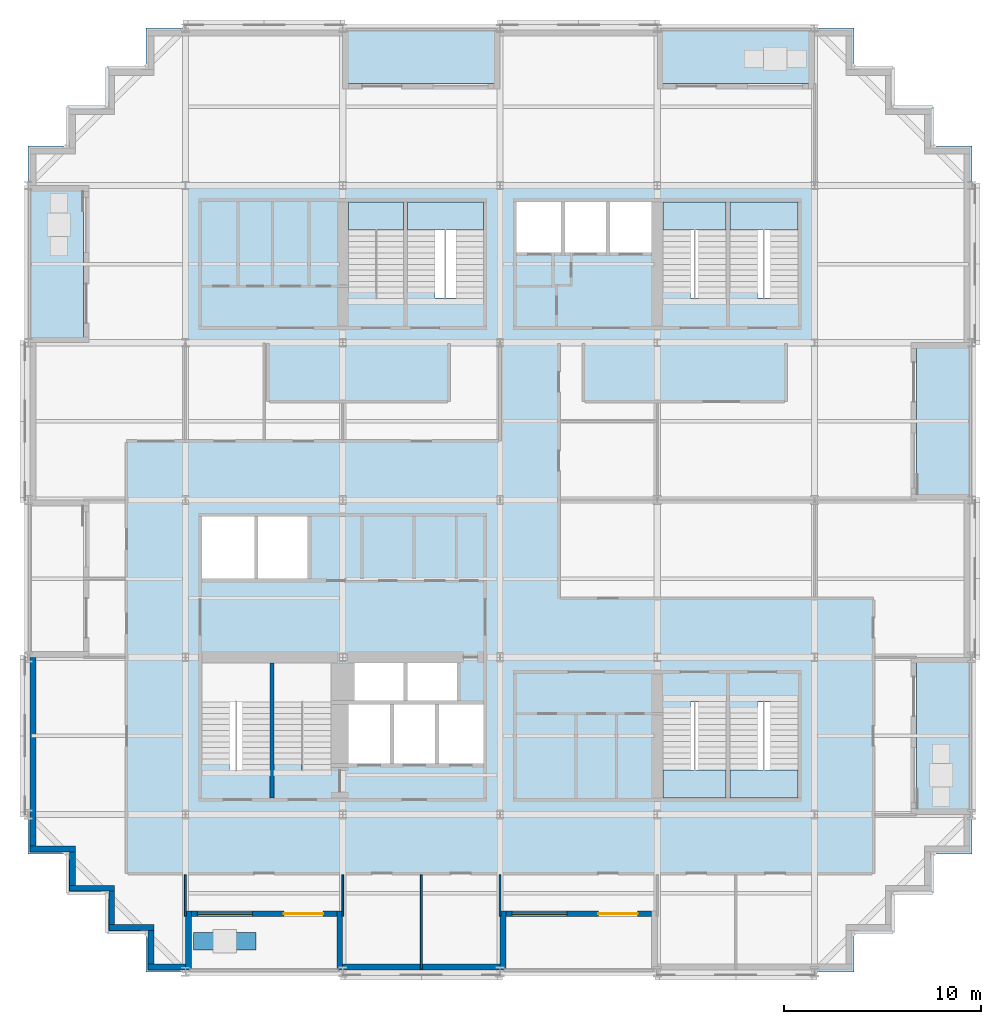
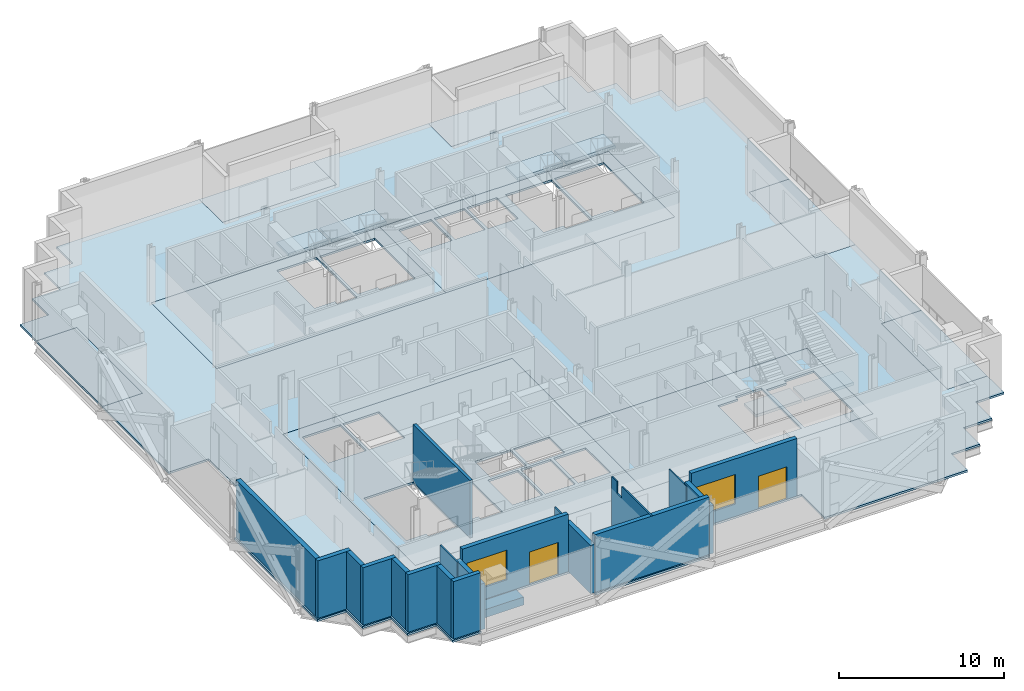
# One storey, part 4 of 13: 20 walls, 16 slabs, 2 doors, 2 windows, 4 openings, 6 elements without a shape of their own.
"""IFC4 building model written with IfcOpenShell, lengths in metres."""

import ifcopenshell
import ifcopenshell.guid

model = None  # the IFC model being written
_history = None  # IfcOwnerHistory: only IFC2X3 demands one
_inside = {}  # id of a spatial element -> (the spatial element, [elements in it])
_under = {}  # id of a project, library or spatial element -> (it, [spatial elements below it])
_declared = {}  # id of a project -> (the project, [libraries it declares])
_typed = {}  # id of a type object -> (the type object, [elements of that type])
_made_of = {}  # id of a material, layer set ... -> (it, [elements and type objects made of it])


def new_model(schema):
    """Start an empty IFC model of exactly this schema.

    Asked for "IFC4X3", IfcOpenShell would pick the latest addendum, in which some entities
    have other attributes; the version numbers below select the first issue.
    IFC2X3 requires an IfcOwnerHistory on every rooted entity: one is made here for all.
    """
    global model, _history
    if schema == "IFC4X3":
        model = ifcopenshell.file(schema_version=(4, 3, 0, 0))
    else:
        model = ifcopenshell.file(schema=schema)
    _inside.clear()
    _under.clear()
    _declared.clear()
    _typed.clear()
    _made_of.clear()
    _history = None
    if model.schema == "IFC2X3":
        org = make("IfcOrganization", Name="unknown")
        user = make(
            "IfcPersonAndOrganization",
            ThePerson=make("IfcPerson", FamilyName="unknown"),
            TheOrganization=org,
        )
        app = make(
            "IfcApplication",
            ApplicationDeveloper=org,
            Version="unknown",
            ApplicationFullName="unknown",
            ApplicationIdentifier="unknown",
        )
        _history = make(
            "IfcOwnerHistory",
            OwningUser=user,
            OwningApplication=app,
            ChangeAction="ADDED",
            CreationDate=0,
        )
    return model


def make(cls, **values):
    """One entity of the class cls with the attributes given. An attribute that is None is left unset."""
    return model.create_entity(
        cls, **{name: value for name, value in values.items() if value is not None}
    )


def rooted(cls, **values):
    """An entity with a GlobalId (a new one), such as an element, a storey or a relation."""
    return make(cls, GlobalId=ifcopenshell.guid.new(), OwnerHistory=_history, **values)


def si_unit(unit_type, name, prefix=None):
    """IfcSIUnit, for example si_unit("LENGTHUNIT", "METRE", prefix="MILLI")."""
    return make("IfcSIUnit", UnitType=unit_type, Prefix=prefix, Name=name)


def assignment(units):
    """IfcUnitAssignment: the units of a project."""
    return None if units is None else make("IfcUnitAssignment", Units=units)


def point(xyz):
    """IfcCartesianPoint."""
    return None if xyz is None else make("IfcCartesianPoint", Coordinates=xyz)


def direction(xyz):
    """IfcDirection."""
    return None if xyz is None else make("IfcDirection", DirectionRatios=xyz)


def frame(location, z_axis=None, x_axis=None):
    """IfcAxis2Placement3D, a coordinate frame: its origin and axes. An axis left out is left unset."""
    return make(
        "IfcAxis2Placement3D",
        Location=point(location),
        Axis=direction(z_axis),
        RefDirection=direction(x_axis),
    )


def frame_2d(location, x_axis=None):
    """IfcAxis2Placement2D, a coordinate frame in the plane: its origin and x axis."""
    return make(
        "IfcAxis2Placement2D", Location=point(location), RefDirection=direction(x_axis)
    )


def origin():
    """The frame at (0, 0, 0) with its axes left unset."""
    return frame((0.0, 0.0, 0.0))


def place(relative_to, where):
    """IfcLocalPlacement: puts the frame where relative to a parent placement (None: the world)."""
    return make(
        "IfcLocalPlacement", PlacementRelTo=relative_to, RelativePlacement=where
    )


def context(
    kind, dimensions, precision=None, world=None, true_north=None, identifier=None
):
    """IfcGeometricRepresentationContext, for example the 3D "Model" context."""
    return make(
        "IfcGeometricRepresentationContext",
        ContextIdentifier=identifier,
        ContextType=kind,
        CoordinateSpaceDimension=dimensions,
        Precision=precision,
        WorldCoordinateSystem=world,
        TrueNorth=true_north,
    )


def subcontext(parent, identifier, kind, view, scale=None):
    """IfcGeometricRepresentationSubContext, for example "Body" below "Model"."""
    return make(
        "IfcGeometricRepresentationSubContext",
        ContextIdentifier=identifier,
        ContextType=kind,
        ParentContext=parent,
        TargetScale=scale,
        TargetView=view,
    )


def project(units=None, contexts=None):
    """IfcProject with its units and contexts."""
    return rooted(
        "IfcProject",
        Name="project",
        RepresentationContexts=contexts,
        UnitsInContext=assignment(units),
    )


def spatial(cls, under=None, at=None, **own):
    """A site, building, storey or space (cls), placed at a placement, below another one or the project."""
    s = rooted(cls, ObjectPlacement=at, **own)
    if under is not None:
        _under.setdefault(under.id(), (under, []))[1].append(s)
    return s


def polyline(points):
    """IfcPolyline through the points."""
    return make("IfcPolyline", Points=[point(p) for p in points])


def profile(cls, at=None, kind="AREA", **sizes):
    """A parametric profile (cls). Its sizes go by their IFC names, for example OverallWidth=200.0."""
    return make(cls, ProfileType=kind, Position=at, **sizes)


def rectangle(**sizes):
    """IfcRectangleProfileDef."""
    return profile("IfcRectangleProfileDef", **sizes)


def outline(outer, holes=None, kind="AREA"):
    """IfcArbitraryClosedProfileDef: a profile drawn as a closed curve; with holes, ...WithVoids."""
    if holes is None:
        return make("IfcArbitraryClosedProfileDef", ProfileType=kind, OuterCurve=outer)
    return make(
        "IfcArbitraryProfileDefWithVoids",
        ProfileType=kind,
        OuterCurve=outer,
        InnerCurves=holes,
    )


def extrude(swept, where, along, depth):
    """IfcExtrudedAreaSolid: the profile swept, set in the frame where, extruded along a direction by depth."""
    return make(
        "IfcExtrudedAreaSolid",
        SweptArea=swept,
        Position=where,
        ExtrudedDirection=direction(along),
        Depth=depth,
    )


def shape(context_of_items, identifier, shape_type, items):
    """IfcShapeRepresentation: the items that make up one representation, for example the "Body"."""
    return make(
        "IfcShapeRepresentation",
        ContextOfItems=context_of_items,
        RepresentationIdentifier=identifier,
        RepresentationType=shape_type,
        Items=items,
    )


def material(Name=None, Category=None):
    """IfcMaterial."""
    return make("IfcMaterial", Name=Name, Category=Category)


def layer(
    of_material, thickness, ventilated=None, Name=None, Category=None, Priority=None
):
    """IfcMaterialLayer: one layer of a wall or slab, of a material (None: an air gap)."""
    return make(
        "IfcMaterialLayer",
        Material=of_material,
        LayerThickness=thickness,
        IsVentilated=ventilated,
        Name=Name,
        Category=Category,
        Priority=Priority,
    )


def layer_set(layers, Name=None):
    """IfcMaterialLayerSet."""
    return make("IfcMaterialLayerSet", MaterialLayers=layers, LayerSetName=Name)


def made_of(thing, what):
    """Note that an element or type object is made of a material, layer set ...; save() writes the relation."""
    if what is not None:
        _made_of.setdefault(what.id(), (what, []))[1].append(thing)
    return thing


def type_object(cls, material=None, **own):
    """A type object (cls), such as IfcWallType, which elements share."""
    return made_of(rooted(cls, **own), material)


def element(
    cls,
    number,
    at=None,
    inside=None,
    cuts=None,
    type_object=None,
    material=None,
    context=None,
    identifier="Body",
    shape_type=None,
    held_by="IfcProductDefinitionShape",
    body=None,
    shapes=None,
    **own,
):
    """One element of the class cls, such as IfcWall. Its Tag is "e" and its number.

    at: its placement. inside: the storey or other place that contains it. cuts: it is an
    opening in that element (IfcRelVoidsElement). A single representation is given by context,
    identifier, shape_type and body (its items); several are given by shapes. held_by: the class
    of the entity that holds the representations. save() writes the other relations.
    """
    e = rooted(cls, Tag="e%d" % number, ObjectPlacement=at, **own)
    if body is not None:
        shapes = [shape(context, identifier, shape_type, body)]
    if shapes is not None:
        e.Representation = make(held_by, Representations=shapes)
    if inside is not None:
        _inside.setdefault(inside.id(), (inside, []))[1].append(e)
    if cuts is not None:
        rooted(
            "IfcRelVoidsElement", RelatingBuildingElement=cuts, RelatedOpeningElement=e
        )
    if type_object is not None:
        _typed.setdefault(type_object.id(), (type_object, []))[1].append(e)
    return made_of(e, material)


def fill(opening, filler):
    """IfcRelFillsElement: the door or window that sits in an opening."""
    return rooted(
        "IfcRelFillsElement",
        RelatingOpeningElement=opening,
        RelatedBuildingElement=filler,
    )


def aggregate(whole, parts):
    """IfcRelAggregates: a whole, such as a stair, and the parts it consists of."""
    return rooted("IfcRelAggregates", RelatingObject=whole, RelatedObjects=parts)


def save(model, path):
    """Write the relations noted so far, then the file.

    IfcRelAggregates (storeys below a building ...), IfcRelContainedInSpatialStructure (elements
    in a storey), IfcRelDefinesByType, IfcRelAssociatesMaterial and IfcRelDeclares: one each for
    every whole, place, type object, material and project.
    """
    for whole, parts in _under.values():
        aggregate(whole, parts)
    for where, things in _inside.values():
        rooted(
            "IfcRelContainedInSpatialStructure",
            RelatedElements=things,
            RelatingStructure=where,
        )
    for kind, things in _typed.values():
        rooted("IfcRelDefinesByType", RelatedObjects=things, RelatingType=kind)
    for what, things in _made_of.values():
        rooted("IfcRelAssociatesMaterial", RelatedObjects=things, RelatingMaterial=what)
    for by, libraries in _declared.values():
        rooted("IfcRelDeclares", RelatingContext=by, RelatedDefinitions=libraries)
    model.write(path)


model = new_model("IFC4")

# Units and contexts
model_context = context("Model", 3, precision=1e-05, world=origin(), true_north=direction((0.0, 1.0)))
body_context = subcontext(model_context, "Body", "Model", "MODEL_VIEW")
ifc_project = project(units=[si_unit("LENGTHUNIT", "METRE"), si_unit("AREAUNIT", "SQUARE_METRE"), si_unit("VOLUMEUNIT", "CUBIC_METRE"), si_unit("PLANEANGLEUNIT", "RADIAN"), si_unit("MASSUNIT", "GRAM", prefix="KILO")], contexts=[model_context])

# Site, building, storey
site_placement = place(None, origin())
site = spatial("IfcSite", under=ifc_project, at=site_placement, CompositionType="ELEMENT")
building_placement = place(site_placement, origin())
building = spatial("IfcBuilding", under=site, at=building_placement, Name="Immortelle Media Tower", CompositionType="ELEMENT")
storey_placement = place(building_placement, frame((0.0, 0.0, 56.800048828125)))
storey = spatial("IfcBuildingStorey", under=building, at=storey_placement, Name="L09", CompositionType="ELEMENT", Elevation=56.800048828125)

# Slabs
ifc_material_1 = material(Name="Concrete C50/60 composite deck", Category="concrete")
ifc_layer_1 = layer(ifc_material_1, 0.14990234375)
ifc_layer_set_1 = layer_set([ifc_layer_1], Name="Concrete C50/60 composite deck")
slab_type_1 = type_object("IfcSlabType", Name="Balcony slab 150", PredefinedType="FLOOR", material=ifc_layer_set_1)
slab_1_placement = place(storey_placement, frame((0.0, 0.0, -0.150146484375)))
element("IfcSlab", 1, at=slab_1_placement, inside=storey, type_object=slab_type_1, Name="Balcony slab L09 W0", PredefinedType="FLOOR", context=body_context, shape_type="SweptSolid", body=[
    extrude(outline(polyline([(2.800048828125, 32.0), (2.800048828125, 40.0), (0.0, 40.0), (0.0, 32.0), (2.800048828125, 32.0)])), origin(), (0.0, 0.0, 1.0), 0.150146484375),
])
slab_2_placement = place(storey_placement, frame((0.0, 0.0, -0.150146484375)))
element("IfcSlab", 2, at=slab_2_placement, inside=storey, type_object=slab_type_1, Name="Balcony slab L09 E0", PredefinedType="FLOOR", context=body_context, shape_type="SweptSolid", body=[
    extrude(outline(polyline([(48.0, 8.0), (48.0, 16.0), (45.199951171875, 16.0), (45.199951171875, 8.0), (48.0, 8.0)])), origin(), (0.0, 0.0, 1.0), 0.150146484375),
])
slab_3_placement = place(storey_placement, frame((0.0, 0.0, -0.150146484375)))
element("IfcSlab", 3, at=slab_3_placement, inside=storey, type_object=slab_type_1, Name="Balcony slab L09 E2", PredefinedType="FLOOR", context=body_context, shape_type="SweptSolid", body=[
    extrude(outline(polyline([(48.0, 24.0), (48.0, 32.0), (45.199951171875, 32.0), (45.199951171875, 24.0), (48.0, 24.0)])), origin(), (0.0, 0.0, 1.0), 0.150146484375),
])
slab_4_placement = place(storey_placement, frame((0.0, 0.0, -0.150146484375)))
element("IfcSlab", 4, at=slab_4_placement, inside=storey, type_object=slab_type_1, Name="Balcony slab L09 N0", PredefinedType="FLOOR", context=body_context, shape_type="SweptSolid", body=[
    extrude(outline(polyline([(40.0, 45.199951171875), (40.0, 48.0), (32.0, 48.0), (32.0, 45.199951171875), (40.0, 45.199951171875)])), origin(), (0.0, 0.0, 1.0), 0.150146484375),
])
slab_5_placement = place(storey_placement, frame((0.0, 0.0, -0.150146484375)))
element("IfcSlab", 5, at=slab_5_placement, inside=storey, type_object=slab_type_1, Name="Balcony slab L09 N2", PredefinedType="FLOOR", context=body_context, shape_type="SweptSolid", body=[
    extrude(outline(polyline([(24.0, 45.199951171875), (24.0, 48.0), (16.0, 48.0), (16.0, 45.199951171875), (24.0, 45.199951171875)])), origin(), (0.0, 0.0, 1.0), 0.150146484375),
])
ifc_material_2 = material(Name="Concrete C50/60", Category="concrete")
ifc_layer_2 = layer(ifc_material_2, 0.14990234375)
ifc_layer_set_2 = layer_set([ifc_layer_2], Name="Concrete C50/60")
slab_type_2 = type_object("IfcSlabType", Name="Composite floor slab 150", PredefinedType="FLOOR", material=ifc_layer_set_2)
slab_6_placement = place(storey_placement, frame((0.0, 0.0, -0.150146484375)))
element("IfcSlab", 6, at=slab_6_placement, inside=storey, type_object=slab_type_2, Name="Floor slab L09", PredefinedType="FLOOR", context=body_context, shape_type="SweptSolid", body=[
    extrude(outline(polyline([(6.0, 0.0), (6.0, 2.0), (4.0, 2.0), (4.0, 4.0), (2.0, 4.0), (2.0, 6.0), (0.0, 6.0), (0.0, 16.0), (2.800048828125, 16.0), (2.800048828125, 24.0), (0.0, 24.0), (0.0, 32.0), (2.800048828125, 32.0), (2.800048828125, 40.0), (0.0, 40.0), (0.0, 42.0), (2.0, 42.0), (2.0, 44.0), (4.0, 44.0), (4.0, 46.0), (6.0, 46.0), (6.0, 48.0), (16.0, 48.0), (16.0, 45.199951171875), (24.0, 45.199951171875), (24.0, 48.0), (32.0, 48.0), (32.0, 45.199951171875), (40.0, 45.199951171875), (40.0, 48.0), (42.0, 48.0), (42.0, 46.0), (44.0, 46.0), (44.0, 44.0), (46.0, 44.0), (46.0, 42.0), (48.0, 42.0), (48.0, 32.0), (45.199951171875, 32.0), (45.199951171875, 24.0), (48.0, 24.0), (48.0, 16.0), (45.199951171875, 16.0), (45.199951171875, 8.0), (48.0, 8.0), (48.0, 6.0), (46.0, 6.0), (46.0, 4.0), (44.0, 4.0), (44.0, 2.0), (42.0, 2.0), (42.0, 0.0), (32.0, 0.0), (32.0, 2.800048828125), (24.0, 2.800048828125), (24.0, 0.0), (16.0, 0.0), (16.0, 2.800048828125), (8.0, 2.800048828125), (8.0, 0.0), (6.0, 0.0)]), holes=[polyline([(24.0, 24.0), (8.0, 24.0), (8.0, 8.0), (24.0, 8.0), (40.0, 8.0), (40.0, 16.0), (24.0, 16.0), (24.0, 24.0)]), polyline([(24.0, 32.0), (40.0, 32.0), (40.0, 40.0), (24.0, 40.0), (8.0, 40.0), (8.0, 32.0), (24.0, 32.0)])]), origin(), (0.0, 0.0, 1.0), 0.150146484375),
])
ifc_layer_3 = layer(ifc_material_2, 0.14990234375)
ifc_layer_set_3 = layer_set([ifc_layer_3], Name="Concrete C50/60")
slab_type_3 = type_object("IfcSlabType", Name="Core floor slab 150", PredefinedType="FLOOR", material=ifc_layer_set_3)
slab_7_placement = place(storey_placement, frame((0.0, 0.0, -0.150146484375)))
element("IfcSlab", 7, at=slab_7_placement, inside=storey, type_object=slab_type_3, Name="Core floor SW", PredefinedType="FLOOR", context=body_context, shape_type="SweptSolid", body=[
    extrude(outline(polyline([(8.0, 8.0), (24.0, 8.0), (24.0, 24.0), (8.0, 24.0), (8.0, 8.0)]), holes=[polyline([(8.85009765625, 20.0), (11.5, 20.0), (11.5, 23.14990234375), (8.85009765625, 23.14990234375), (8.85009765625, 20.0)]), polyline([(11.699951171875, 20.0), (14.199951171875, 20.0), (14.199951171875, 23.14990234375), (11.699951171875, 23.14990234375), (11.699951171875, 20.0)]), polyline([(16.60009765625, 13.800048828125), (19.10009765625, 13.800048828125), (19.10009765625, 15.699951171875), (16.60009765625, 15.699951171875), (16.60009765625, 13.800048828125)]), polyline([(19.300048828125, 13.800048828125), (21.800048828125, 13.800048828125), (21.800048828125, 15.699951171875), (19.300048828125, 15.699951171875), (19.300048828125, 13.800048828125)]), polyline([(16.300048828125, 10.60009765625), (18.39990234375, 10.60009765625), (18.39990234375, 13.60009765625), (16.300048828125, 13.60009765625), (16.300048828125, 10.60009765625)]), polyline([(18.60009765625, 10.60009765625), (20.699951171875, 10.60009765625), (20.699951171875, 13.60009765625), (18.60009765625, 13.60009765625), (18.60009765625, 10.60009765625)]), polyline([(20.89990234375, 10.60009765625), (23.14990234375, 10.60009765625), (23.14990234375, 13.60009765625), (20.89990234375, 13.60009765625), (20.89990234375, 10.60009765625)]), polyline([(8.85009765625, 15.699951171875), (12.300048828125, 15.699951171875), (12.300048828125, 10.27001953125), (10.25, 10.27001953125), (10.25, 10.56005859375), (8.85009765625, 10.56005859375), (8.85009765625, 15.699951171875)]), polyline([(12.5, 15.699951171875), (15.39990234375, 15.699951171875), (15.39990234375, 10.27001953125), (13.89990234375, 10.27001953125), (13.89990234375, 10.56005859375), (12.5, 10.56005859375), (12.5, 15.699951171875)])]), origin(), (0.0, 0.0, 1.0), 0.150146484375),
])
slab_8_placement = place(storey_placement, frame((0.0, 0.0, -0.150146484375)))
element("IfcSlab", 8, at=slab_8_placement, inside=storey, type_object=slab_type_3, Name="Core floor SE", PredefinedType="FLOOR", context=body_context, shape_type="SweptSolid", body=[
    extrude(outline(polyline([(24.0, 8.0), (40.0, 8.0), (40.0, 16.0), (24.0, 16.0), (24.0, 8.0)]), holes=[polyline([(35.5, 13.72998046875), (35.5, 8.85009765625), (32.300048828125, 8.85009765625), (32.300048828125, 13.43994140625), (33.699951171875, 13.43994140625), (33.699951171875, 13.72998046875), (35.5, 13.72998046875)]), polyline([(39.14990234375, 13.72998046875), (39.14990234375, 8.85009765625), (35.699951171875, 8.85009765625), (35.699951171875, 13.43994140625), (37.10009765625, 13.43994140625), (37.10009765625, 13.72998046875), (39.14990234375, 13.72998046875)])]), origin(), (0.0, 0.0, 1.0), 0.150146484375),
])
slab_9_placement = place(storey_placement, frame((0.0, 0.0, -0.150146484375)))
element("IfcSlab", 9, at=slab_9_placement, inside=storey, type_object=slab_type_3, Name="Core floor NW", PredefinedType="FLOOR", context=body_context, shape_type="SweptSolid", body=[
    extrude(outline(polyline([(8.0, 32.0), (24.0, 32.0), (24.0, 40.0), (8.0, 40.0), (8.0, 32.0)]), holes=[polyline([(16.300048828125, 39.14990234375), (19.10009765625, 39.14990234375), (19.10009765625, 34.27001953125), (17.699951171875, 34.27001953125), (17.699951171875, 34.56005859375), (16.300048828125, 34.56005859375), (16.300048828125, 39.14990234375)]), polyline([(19.300048828125, 39.14990234375), (23.14990234375, 39.14990234375), (23.14990234375, 34.27001953125), (20.699951171875, 34.27001953125), (20.699951171875, 34.56005859375), (19.300048828125, 34.56005859375), (19.300048828125, 39.14990234375)])]), origin(), (0.0, 0.0, 1.0), 0.150146484375),
])
slab_10_placement = place(storey_placement, frame((0.0, 0.0, -0.150146484375)))
element("IfcSlab", 10, at=slab_10_placement, inside=storey, type_object=slab_type_3, Name="Core floor NE", PredefinedType="FLOOR", context=body_context, shape_type="SweptSolid", body=[
    extrude(outline(polyline([(24.0, 32.0), (40.0, 32.0), (40.0, 40.0), (24.0, 40.0), (24.0, 32.0)]), holes=[polyline([(24.85009765625, 36.60009765625), (27.10009765625, 36.60009765625), (27.10009765625, 39.14990234375), (24.85009765625, 39.14990234375), (24.85009765625, 36.60009765625)]), polyline([(27.300048828125, 36.60009765625), (29.39990234375, 36.60009765625), (29.39990234375, 39.14990234375), (27.300048828125, 39.14990234375), (27.300048828125, 36.60009765625)]), polyline([(29.60009765625, 36.60009765625), (31.699951171875, 36.60009765625), (31.699951171875, 39.14990234375), (29.60009765625, 39.14990234375), (29.60009765625, 36.60009765625)]), polyline([(32.300048828125, 39.14990234375), (35.5, 39.14990234375), (35.5, 34.27001953125), (33.699951171875, 34.27001953125), (33.699951171875, 34.56005859375), (32.300048828125, 34.56005859375), (32.300048828125, 39.14990234375)]), polyline([(35.699951171875, 39.14990234375), (39.14990234375, 39.14990234375), (39.14990234375, 34.27001953125), (37.10009765625, 34.27001953125), (37.10009765625, 34.56005859375), (35.699951171875, 34.56005859375), (35.699951171875, 39.14990234375)])]), origin(), (0.0, 0.0, 1.0), 0.150146484375),
])

# Stair, slab
ifc_material_3 = material(Name="Steel ASTM A992 Gr 50", Category="steel")
stair_type = type_object("IfcStairType", Name="Stair with flights", PredefinedType="DOUBLE_RETURN_STAIR", material=ifc_material_3)
stair_1_placement = place(storey_placement, origin())
stair_1 = element("IfcStair", 11, at=stair_1_placement, inside=storey, type_object=stair_type, Name="Exit stair SE1", PredefinedType="DOUBLE_RETURN_STAIR")
ifc_material_4 = material(Name="Steel ASTM A572 Gr 50", Category="steel")
ifc_layer_4 = layer(ifc_material_4, 0.199951171875)
ifc_layer_set_4 = layer_set([ifc_layer_4], Name="Steel ASTM A572 Gr 50")
slab_type_4 = type_object("IfcSlabType", Name="Stair landing 200", PredefinedType="LANDING", material=ifc_layer_set_4)
slab_11_placement = place(storey_placement, frame((0.0, 0.0, 1.911865234375)))
slab_11 = element("IfcSlab", 12, at=slab_11_placement, type_object=slab_type_4, Name="ST SE1 landing 1", PredefinedType="LANDING", context=body_context, shape_type="SweptSolid", body=[
    extrude(outline(polyline([(32.300048828125, 8.85009765625), (35.5, 8.85009765625), (35.5, 10.27001953125), (32.300048828125, 10.27001953125), (32.300048828125, 8.85009765625)])), origin(), (0.0, 0.0, 1.0), 0.2001953125),
])
aggregate(stair_1, [slab_11])

stair_2_placement = place(storey_placement, origin())
stair_2 = element("IfcStair", 13, at=stair_2_placement, inside=storey, type_object=stair_type, Name="Exit stair SE2", PredefinedType="DOUBLE_RETURN_STAIR")
slab_12_placement = place(storey_placement, frame((0.0, 0.0, 1.911865234375)))
slab_12 = element("IfcSlab", 14, at=slab_12_placement, type_object=slab_type_4, Name="ST SE2 landing 1", PredefinedType="LANDING", context=body_context, shape_type="SweptSolid", body=[
    extrude(outline(polyline([(35.699951171875, 8.85009765625), (39.14990234375, 8.85009765625), (39.14990234375, 10.27001953125), (35.699951171875, 10.27001953125), (35.699951171875, 8.85009765625)])), origin(), (0.0, 0.0, 1.0), 0.2001953125),
])
aggregate(stair_2, [slab_12])

stair_3_placement = place(storey_placement, origin())
stair_3 = element("IfcStair", 15, at=stair_3_placement, inside=storey, type_object=stair_type, Name="Exit stair NW1", PredefinedType="DOUBLE_RETURN_STAIR")
slab_13_placement = place(storey_placement, frame((0.0, 0.0, 1.911865234375)))
slab_13 = element("IfcSlab", 16, at=slab_13_placement, type_object=slab_type_4, Name="ST NW1 landing 1", PredefinedType="LANDING", context=body_context, shape_type="SweptSolid", body=[
    extrude(outline(polyline([(16.300048828125, 37.72998046875), (19.10009765625, 37.72998046875), (19.10009765625, 39.14990234375), (16.300048828125, 39.14990234375), (16.300048828125, 37.72998046875)])), origin(), (0.0, 0.0, 1.0), 0.2001953125),
])
aggregate(stair_3, [slab_13])

stair_4_placement = place(storey_placement, origin())
stair_4 = element("IfcStair", 17, at=stair_4_placement, inside=storey, type_object=stair_type, Name="Exit stair NW2", PredefinedType="DOUBLE_RETURN_STAIR")
slab_14_placement = place(storey_placement, frame((0.0, 0.0, 1.911865234375)))
slab_14 = element("IfcSlab", 18, at=slab_14_placement, type_object=slab_type_4, Name="ST NW2 landing 1", PredefinedType="LANDING", context=body_context, shape_type="SweptSolid", body=[
    extrude(outline(polyline([(19.300048828125, 37.72998046875), (23.14990234375, 37.72998046875), (23.14990234375, 39.14990234375), (19.300048828125, 39.14990234375), (19.300048828125, 37.72998046875)])), origin(), (0.0, 0.0, 1.0), 0.2001953125),
])
aggregate(stair_4, [slab_14])

stair_5_placement = place(storey_placement, origin())
stair_5 = element("IfcStair", 19, at=stair_5_placement, inside=storey, type_object=stair_type, Name="Exit stair NE1", PredefinedType="DOUBLE_RETURN_STAIR")
slab_15_placement = place(storey_placement, frame((0.0, 0.0, 1.911865234375)))
slab_15 = element("IfcSlab", 20, at=slab_15_placement, type_object=slab_type_4, Name="ST NE1 landing 1", PredefinedType="LANDING", context=body_context, shape_type="SweptSolid", body=[
    extrude(outline(polyline([(32.300048828125, 37.72998046875), (35.5, 37.72998046875), (35.5, 39.14990234375), (32.300048828125, 39.14990234375), (32.300048828125, 37.72998046875)])), origin(), (0.0, 0.0, 1.0), 0.2001953125),
])
aggregate(stair_5, [slab_15])

stair_6_placement = place(storey_placement, origin())
stair_6 = element("IfcStair", 21, at=stair_6_placement, inside=storey, type_object=stair_type, Name="Exit stair NE2", PredefinedType="DOUBLE_RETURN_STAIR")
slab_16_placement = place(storey_placement, frame((0.0, 0.0, 1.911865234375)))
slab_16 = element("IfcSlab", 22, at=slab_16_placement, type_object=slab_type_4, Name="ST NE2 landing 1", PredefinedType="LANDING", context=body_context, shape_type="SweptSolid", body=[
    extrude(outline(polyline([(35.699951171875, 37.72998046875), (39.14990234375, 37.72998046875), (39.14990234375, 39.14990234375), (35.699951171875, 39.14990234375), (35.699951171875, 37.72998046875)])), origin(), (0.0, 0.0, 1.0), 0.2001953125),
])
aggregate(stair_6, [slab_16])

# Walls
ifc_material_5 = material(Name="Pale aluminium cladding panel", Category="aluminium")
ifc_layer_5 = layer(ifc_material_5, 0.030029296875)
ifc_material_6 = material(Name="Steel ASTM A653 SS Gr 50 stud frame with mineral wool", Category="steel")
ifc_layer_6 = layer(ifc_material_6, 0.257568359375)
ifc_material_7 = material(Name="Moisture-resistant gypsum board", Category="gypsum")
ifc_layer_7 = layer(ifc_material_7, 0.012451171875)
ifc_layer_set_5 = layer_set([ifc_layer_5, ifc_layer_6, ifc_layer_7], Name="Steel ASTM A653 SS Gr 50 stud frame with mineral wool")
wall_type_1 = type_object("IfcWallType", Name="Facade wall 300", PredefinedType="SOLIDWALL", material=ifc_layer_set_5)
wall_1_placement = place(storey_placement, frame((0.25, 16.0, 0.0), z_axis=(0.0, 0.0, 1.0), x_axis=(0.0, -1.0, 0.0)))
element("IfcWall", 23, at=wall_1_placement, inside=storey, type_object=wall_type_1, Name="Facade wall L09 W0", PredefinedType="SOLIDWALL", context=body_context, shape_type="SweptSolid", body=[
    extrude(rectangle(XDim=9.60009765625, YDim=0.300048828125, at=frame_2d((4.800048828125, 0.0))), origin(), (0.0, 0.0, 1.0), 4.25),
])
wall_2_placement = place(storey_placement, frame((0.10009765625, 6.25, 0.0), z_axis=(0.0, 0.0, 1.0), x_axis=(1.0, 0.0, 0.0)))
element("IfcWall", 24, at=wall_2_placement, inside=storey, type_object=wall_type_1, Name="Facade wall L09 S1", PredefinedType="SOLIDWALL", context=body_context, shape_type="SweptSolid", body=[
    extrude(rectangle(XDim=2.2998046875, YDim=0.300048828125, at=frame_2d((1.14990234375, 0.0))), origin(), (0.0, 0.0, 1.0), 4.25),
])
wall_3_placement = place(storey_placement, frame((2.25, 6.10009765625, 0.0), z_axis=(0.0, 0.0, 1.0), x_axis=(0.0, -1.0, 0.0)))
element("IfcWall", 25, at=wall_3_placement, inside=storey, type_object=wall_type_1, Name="Facade wall L09 W2", PredefinedType="SOLIDWALL", context=body_context, shape_type="SweptSolid", body=[
    extrude(rectangle(XDim=1.7001953125, YDim=0.300048828125, at=frame_2d((0.85009765625, 0.0))), origin(), (0.0, 0.0, 1.0), 4.25),
])
wall_4_placement = place(storey_placement, frame((2.10009765625, 4.25, 0.0), z_axis=(0.0, 0.0, 1.0), x_axis=(1.0, 0.0, 0.0)))
element("IfcWall", 26, at=wall_4_placement, inside=storey, type_object=wall_type_1, Name="Facade wall L09 S3", PredefinedType="SOLIDWALL", context=body_context, shape_type="SweptSolid", body=[
    extrude(rectangle(XDim=2.2998046875, YDim=0.300048828125, at=frame_2d((1.14990234375, 0.0))), origin(), (0.0, 0.0, 1.0), 4.25),
])
wall_5_placement = place(storey_placement, frame((4.25, 4.10009765625, 0.0), z_axis=(0.0, 0.0, 1.0), x_axis=(0.0, -1.0, 0.0)))
element("IfcWall", 27, at=wall_5_placement, inside=storey, type_object=wall_type_1, Name="Facade wall L09 W4", PredefinedType="SOLIDWALL", context=body_context, shape_type="SweptSolid", body=[
    extrude(rectangle(XDim=1.7001953125, YDim=0.300048828125, at=frame_2d((0.85009765625, 0.0))), origin(), (0.0, 0.0, 1.0), 4.25),
])
wall_6_placement = place(storey_placement, frame((4.10009765625, 2.25, 0.0), z_axis=(0.0, 0.0, 1.0), x_axis=(1.0, 0.0, 0.0)))
element("IfcWall", 28, at=wall_6_placement, inside=storey, type_object=wall_type_1, Name="Facade wall L09 S5", PredefinedType="SOLIDWALL", context=body_context, shape_type="SweptSolid", body=[
    extrude(rectangle(XDim=2.2998046875, YDim=0.300048828125, at=frame_2d((1.14990234375, 0.0))), origin(), (0.0, 0.0, 1.0), 4.25),
])
wall_7_placement = place(storey_placement, frame((6.25, 2.10009765625, 0.0), z_axis=(0.0, 0.0, 1.0), x_axis=(0.0, -1.0, 0.0)))
element("IfcWall", 29, at=wall_7_placement, inside=storey, type_object=wall_type_1, Name="Facade wall L09 W6", PredefinedType="SOLIDWALL", context=body_context, shape_type="SweptSolid", body=[
    extrude(rectangle(XDim=1.7001953125, YDim=0.300048828125, at=frame_2d((0.85009765625, 0.0))), origin(), (0.0, 0.0, 1.0), 4.25),
])
wall_8_placement = place(storey_placement, frame((6.10009765625, 0.25, 0.0), z_axis=(0.0, 0.0, 1.0), x_axis=(1.0, 0.0, 0.0)))
element("IfcWall", 30, at=wall_8_placement, inside=storey, type_object=wall_type_1, Name="Facade wall L09 S7", PredefinedType="SOLIDWALL", context=body_context, shape_type="SweptSolid", body=[
    extrude(rectangle(XDim=1.89990234375, YDim=0.300048828125, at=frame_2d((0.949951171875, 0.0))), origin(), (0.0, 0.0, 1.0), 4.25),
])

# Wall, openings, door, window
wall_9_placement = place(storey_placement, frame((8.300048828125, 2.949951171875, 0.0), z_axis=(0.0, 0.0, 1.0), x_axis=(1.0, 0.0, 0.0)))
wall_9 = element("IfcWall", 31, at=wall_9_placement, inside=storey, type_object=wall_type_1, Name="Loggia wall L09 S7", PredefinedType="SOLIDWALL", context=body_context, shape_type="SweptSolid", body=[
    extrude(rectangle(XDim=7.39990234375, YDim=0.300048828125, at=frame_2d((3.699951171875, 0.0))), origin(), (0.0, 0.0, 1.0), 4.25),
])
opening_1_placement = place(wall_9_placement, frame((0.300048828125, 0.0, 0.89990234375)))
opening_1 = element("IfcOpeningElement", 32, at=opening_1_placement, cuts=wall_9, Name="Opening W1", PredefinedType="OPENING", context=body_context, shape_type="SweptSolid", body=[
    extrude(rectangle(XDim=2.800048828125, YDim=2.199951171875, at=frame_2d((1.39990234375, 1.10009765625))), frame((0.0, 0.159912109375, 0.0), z_axis=(0.0, -1.0, 0.0), x_axis=(1.0, 0.0, 0.0)), (0.0, 0.0, 1.0), 0.320068359375),
])
opening_2_placement = place(wall_9_placement, frame((4.699951171875, 0.0, 0.0)))
opening_2 = element("IfcOpeningElement", 33, at=opening_2_placement, cuts=wall_9, Name="Opening N2-E003", PredefinedType="OPENING", context=body_context, shape_type="SweptSolid", body=[
    extrude(rectangle(XDim=2.0, YDim=2.39990234375, at=frame_2d((1.0, 1.199951171875))), frame((0.0, 0.159912109375, 0.0), z_axis=(0.0, -1.0, 0.0), x_axis=(1.0, 0.0, 0.0)), (0.0, 0.0, 1.0), 0.320068359375),
])
ifc_material_8 = material(Name="Aluminium frame, glazed leaves", Category="aluminium")
door_type = type_object("IfcDoorType", Name="Loggia door 2000 x 2400", OperationType="DOUBLE_DOOR_SINGLE_SWING", PredefinedType="DOOR", material=ifc_material_8)
door_1_placement = place(opening_2_placement, origin())
door_1 = element("IfcDoor", 34, at=door_1_placement, inside=storey, type_object=door_type, Name="Door N2-E003", OperationType="DOUBLE_DOOR_SINGLE_SWING", OverallHeight=2.39990234375, OverallWidth=2.0, PredefinedType="DOOR", context=body_context, shape_type="SweptSolid", body=[
    extrude(rectangle(XDim=2.0, YDim=2.39990234375, at=frame_2d((1.0, 1.199951171875))), frame((0.0, 0.02490234375, 0.0), z_axis=(0.0, -1.0, 0.0), x_axis=(1.0, 0.0, 0.0)), (0.0, 0.0, 1.0), 0.050048828125),
])
fill(opening_2, door_1)
ifc_material_9 = material(Name="Aluminium frame", Category="aluminium")
window_type = type_object("IfcWindowType", Name="Window 2800 x 2200", PartitioningType="SINGLE_PANEL", PredefinedType="WINDOW", material=ifc_material_9)
window_1_placement = place(opening_1_placement, origin())
window_1 = element("IfcWindow", 35, at=window_1_placement, inside=storey, type_object=window_type, Name="Window L09 L09-R7-B0", OverallHeight=2.199951171875, OverallWidth=2.800048828125, PartitioningType="SINGLE_PANEL", PredefinedType="WINDOW", context=body_context, shape_type="SweptSolid", body=[
    extrude(rectangle(XDim=2.800048828125, YDim=2.199951171875, at=frame_2d((1.39990234375, 1.10009765625))), frame((0.0, 0.030029296875, 0.0), z_axis=(0.0, -1.0, 0.0), x_axis=(1.0, 0.0, 0.0)), (0.0, 0.0, 1.0), 0.06005859375),
])
fill(opening_1, window_1)

# Walls
wall_10_placement = place(storey_placement, frame((8.14990234375, 0.10009765625, 0.0), z_axis=(0.0, 0.0, 1.0), x_axis=(0.0, 1.0, 0.0)))
element("IfcWall", 36, at=wall_10_placement, inside=storey, type_object=wall_type_1, Name="Loggia cheek wall L09 S", PredefinedType="SOLIDWALL", context=body_context, shape_type="SweptSolid", body=[
    extrude(rectangle(XDim=3.0, YDim=0.300048828125, at=frame_2d((1.5, 0.0))), origin(), (0.0, 0.0, 1.0), 3.389892578125),
])
wall_11_placement = place(storey_placement, frame((15.85009765625, 0.10009765625, 0.0), z_axis=(0.0, 0.0, 1.0), x_axis=(0.0, 1.0, 0.0)))
element("IfcWall", 37, at=wall_11_placement, inside=storey, type_object=wall_type_1, Name="Loggia cheek wall L09 S", PredefinedType="SOLIDWALL", context=body_context, shape_type="SweptSolid", body=[
    extrude(rectangle(XDim=3.0, YDim=0.300048828125, at=frame_2d((1.5, 0.0))), origin(), (0.0, 0.0, 1.0), 3.552978515625),
])
wall_12_placement = place(storey_placement, frame((16.0, 0.25, 0.0), z_axis=(0.0, 0.0, 1.0), x_axis=(1.0, 0.0, 0.0)))
element("IfcWall", 38, at=wall_12_placement, inside=storey, type_object=wall_type_1, Name="Facade wall L09 S7", PredefinedType="SOLIDWALL", context=body_context, shape_type="SweptSolid", body=[
    extrude(rectangle(XDim=8.0, YDim=0.300048828125, at=frame_2d((4.0, 0.0))), origin(), (0.0, 0.0, 1.0), 4.25),
])

# Wall, openings, door, window
wall_13_placement = place(storey_placement, frame((24.300048828125, 2.949951171875, 0.0), z_axis=(0.0, 0.0, 1.0), x_axis=(1.0, 0.0, 0.0)))
wall_13 = element("IfcWall", 39, at=wall_13_placement, inside=storey, type_object=wall_type_1, Name="Loggia wall L09 S7", PredefinedType="SOLIDWALL", context=body_context, shape_type="SweptSolid", body=[
    extrude(rectangle(XDim=7.39990234375, YDim=0.300048828125, at=frame_2d((3.699951171875, 0.0))), origin(), (0.0, 0.0, 1.0), 4.25),
])
opening_3_placement = place(wall_13_placement, frame((0.300048828125, 0.0, 0.89990234375)))
opening_3 = element("IfcOpeningElement", 40, at=opening_3_placement, cuts=wall_13, Name="Opening W1", PredefinedType="OPENING", context=body_context, shape_type="SweptSolid", body=[
    extrude(rectangle(XDim=2.800048828125, YDim=2.199951171875, at=frame_2d((1.39990234375, 1.10009765625))), frame((0.0, 0.159912109375, 0.0), z_axis=(0.0, -1.0, 0.0), x_axis=(1.0, 0.0, 0.0)), (0.0, 0.0, 1.0), 0.320068359375),
])
opening_4_placement = place(wall_13_placement, frame((4.699951171875, 0.0, 0.0)))
opening_4 = element("IfcOpeningElement", 41, at=opening_4_placement, cuts=wall_13, Name="Opening N2-E004", PredefinedType="OPENING", context=body_context, shape_type="SweptSolid", body=[
    extrude(rectangle(XDim=2.0, YDim=2.39990234375, at=frame_2d((1.0, 1.199951171875))), frame((0.0, 0.159912109375, 0.0), z_axis=(0.0, -1.0, 0.0), x_axis=(1.0, 0.0, 0.0)), (0.0, 0.0, 1.0), 0.320068359375),
])
door_2_placement = place(opening_4_placement, origin())
door_2 = element("IfcDoor", 42, at=door_2_placement, inside=storey, type_object=door_type, Name="Door N2-E004", OperationType="DOUBLE_DOOR_SINGLE_SWING", OverallHeight=2.39990234375, OverallWidth=2.0, PredefinedType="DOOR", context=body_context, shape_type="SweptSolid", body=[
    extrude(rectangle(XDim=2.0, YDim=2.39990234375, at=frame_2d((1.0, 1.199951171875))), frame((0.0, 0.02490234375, 0.0), z_axis=(0.0, -1.0, 0.0), x_axis=(1.0, 0.0, 0.0)), (0.0, 0.0, 1.0), 0.050048828125),
])
fill(opening_4, door_2)
window_2_placement = place(opening_3_placement, origin())
window_2 = element("IfcWindow", 43, at=window_2_placement, inside=storey, type_object=window_type, Name="Window L09 L09-R7-B2", OverallHeight=2.199951171875, OverallWidth=2.800048828125, PartitioningType="SINGLE_PANEL", PredefinedType="WINDOW", context=body_context, shape_type="SweptSolid", body=[
    extrude(rectangle(XDim=2.800048828125, YDim=2.199951171875, at=frame_2d((1.39990234375, 1.10009765625))), frame((0.0, 0.030029296875, 0.0), z_axis=(0.0, -1.0, 0.0), x_axis=(1.0, 0.0, 0.0)), (0.0, 0.0, 1.0), 0.06005859375),
])
fill(opening_3, window_2)

# Walls
wall_14_placement = place(storey_placement, frame((24.14990234375, 0.10009765625, 0.0), z_axis=(0.0, 0.0, 1.0), x_axis=(0.0, 1.0, 0.0)))
element("IfcWall", 44, at=wall_14_placement, inside=storey, type_object=wall_type_1, Name="Loggia cheek wall L09 S", PredefinedType="SOLIDWALL", context=body_context, shape_type="SweptSolid", body=[
    extrude(rectangle(XDim=3.0, YDim=0.300048828125, at=frame_2d((1.5, 0.0))), origin(), (0.0, 0.0, 1.0), 3.552978515625),
])
ifc_material_10 = material(Name="Gypsum board", Category="gypsum")
ifc_layer_8 = layer(ifc_material_10, 0.012451171875)
ifc_layer_9 = layer(ifc_material_6, 0.074951171875)
ifc_layer_10 = layer(ifc_material_10, 0.012451171875)
ifc_layer_set_6 = layer_set([ifc_layer_8, ifc_layer_9, ifc_layer_10], Name="Steel ASTM A653 SS Gr 50 stud frame with mineral wool")
wall_type_2 = type_object("IfcWallType", Name="Partition 100", PredefinedType="PARTITIONING", material=ifc_layer_set_6)
wall_15_placement = place(storey_placement, frame((20.0, 0.1298828125, 0.0), z_axis=(0.0, 0.0, 1.0), x_axis=(0.0, 1.0, 0.0)))
element("IfcWall", 45, at=wall_15_placement, inside=storey, type_object=wall_type_2, Name="Partition L09-001", PredefinedType="PARTITIONING", context=body_context, shape_type="SweptSolid", body=[
    extrude(outline(polyline([(0.0, 0.0), (4.795166015625, 0.0), (4.794921875, 4.25), (4.169921875, 4.25), (4.16796875, 3.390869140625), (3.572021484375, 3.390869140625), (3.570068359375, 4.25), (0.0, 4.25), (0.0, 0.0)])), frame((0.0, 0.050048828125, 0.0), z_axis=(0.0, -1.0, 0.0), x_axis=(1.0, 0.0, 0.0)), (0.0, 0.0, 1.0), 0.10009765625),
])
for number, where, z_axis, x_axis, name in (
    (46, (8.0, 2.830078125, 0.0), (0.0, 0.0, 1.0), (0.0, 1.0, 0.0), "Partition L09-003"),
    (47, (16.0, 2.830078125, 0.0), (0.0, 0.0, 1.0), (0.0, 1.0, 0.0), "Partition L09-004"),
    (48, (24.0, 2.830078125, 0.0), (0.0, 0.0, 1.0), (0.0, 1.0, 0.0), "Partition L09-005"),
):
    element("IfcWall", number, at=place(storey_placement, frame(where, z_axis=z_axis, x_axis=x_axis)), inside=storey, type_object=wall_type_2, Name=name, PredefinedType="PARTITIONING", context=body_context, shape_type="SweptSolid", body=[
        extrude(rectangle(XDim=2.094970703125, YDim=0.10009765625, at=frame_2d((1.04736328125, 0.0))), origin(), (0.0, 0.0, 1.0), 3.390869140625),
    ])
ifc_layer_11 = layer(ifc_material_5, 0.0029296875)
ifc_material_11 = material(Name="Steel ASTM A572 Gr 50 planter shell", Category="steel")
ifc_layer_12 = layer(ifc_material_11, 0.011962890625)
ifc_material_12 = material(Name="Planting substrate", Category="soil")
ifc_layer_13 = layer(ifc_material_12, 0.873046875)
ifc_layer_14 = layer(ifc_material_11, 0.011962890625)
ifc_layer_set_7 = layer_set([ifc_layer_11, ifc_layer_12, ifc_layer_13, ifc_layer_14], Name="Steel ASTM A572 Gr 50 planter shell")
wall_type_3 = type_object("IfcWallType", Name="Planter wall 900", PredefinedType="SOLIDWALL", material=ifc_layer_set_7)
wall_16_placement = place(storey_placement, frame((8.39990234375, 1.550048828125, 0.0), z_axis=(0.0, 0.0, 1.0), x_axis=(1.0, 0.0, 0.0)))
element("IfcWall", 49, at=wall_16_placement, inside=storey, type_object=wall_type_3, Name="Planter L09 S0", PredefinedType="SOLIDWALL", context=body_context, shape_type="SweptSolid", body=[
    extrude(rectangle(XDim=3.2001953125, YDim=0.89990234375, at=frame_2d((1.60009765625, 0.0))), origin(), (0.0, 0.0, 1.0), 0.599853515625),
])
ifc_material_13 = material(Name="Concrete C60", Category="concrete")
ifc_layer_15 = layer(ifc_material_13, 0.199951171875)
ifc_layer_set_8 = layer_set([ifc_layer_15], Name="Concrete C60")
wall_type_4 = type_object("IfcWallType", Name="Stair shaft wall 200", PredefinedType="PARTITIONING", material=ifc_layer_set_8)
wall_17_placement = place(storey_placement, frame((12.39990234375, 8.85009765625, 0.0), z_axis=(0.0, 0.0, 1.0), x_axis=(0.0, 1.0, 0.0)))
element("IfcWall", 50, at=wall_17_placement, inside=storey, type_object=wall_type_4, Name="Stair shaft wall SW", PredefinedType="PARTITIONING", context=body_context, shape_type="SweptSolid", body=[
    extrude(rectangle(XDim=6.849853515625, YDim=0.199951171875, at=frame_2d((3.4248046875, 0.0))), origin(), (0.0, 0.0, 1.0), 4.25),
])

save(model, "model.ifc")
